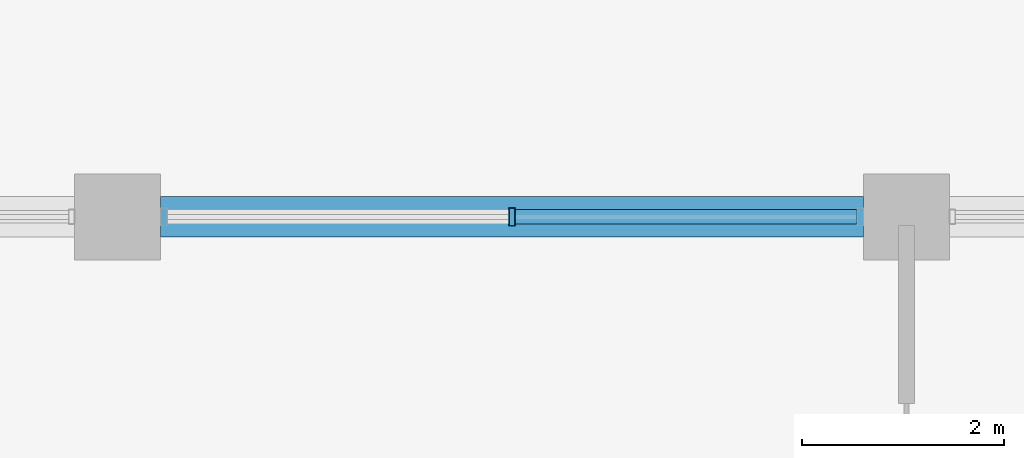
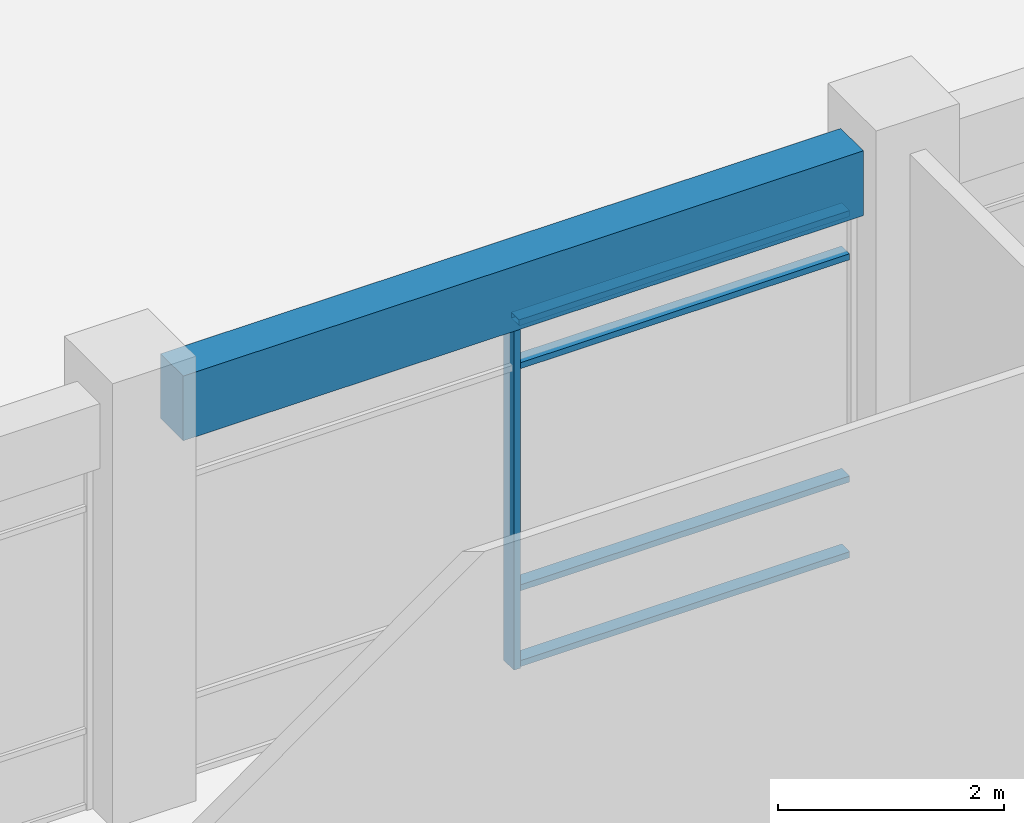
# One storey, part 16 of 74: 5 members, 1 beam, 1 element without a shape of its own.
"""IFC4 building model written with IfcOpenShell, lengths in metres."""

from ifc_helpers import new_model, si_unit, direction, frame, origin, origin_2d, place, context, subcontext, project, spatial, rectangle, hollow_rectangle, extrude, material, material_profile, profile_set, type_object, element, aggregate, save


model = new_model("IFC4")

# Units and contexts
model_context = context("Model", 3, precision=1e-05, world=origin(), true_north=direction((0.0, 1.0)))
body_context = subcontext(model_context, "Body", "Model", "MODEL_VIEW")
ifc_project = project(units=[si_unit("LENGTHUNIT", "METRE"), si_unit("AREAUNIT", "SQUARE_METRE"), si_unit("VOLUMEUNIT", "CUBIC_METRE"), si_unit("PLANEANGLEUNIT", "RADIAN"), si_unit("MASSUNIT", "GRAM", prefix="KILO"), si_unit("THERMODYNAMICTEMPERATUREUNIT", "KELVIN"), si_unit("POWERUNIT", "WATT")], contexts=[model_context])

# Site, building, storey
site_placement = place(None, origin())
site = spatial("IfcSite", under=ifc_project, at=site_placement, CompositionType="ELEMENT")
building_placement = place(site_placement, origin())
building = spatial("IfcBuilding", under=site, at=building_placement, Name="Srebrne Nadtorze General Hospital", CompositionType="ELEMENT")
storey_placement = place(building_placement, origin())
storey = spatial("IfcBuildingStorey", under=building, at=storey_placement, Name="L00", CompositionType="ELEMENT", Elevation=0.0)

# Curtain wall, members
ifc_material_1 = material(Name="Anodised Aluminium", Category="aluminium")
curtain_wall_type = type_object("IfcCurtainWallType", Name="Unitised curtain wall 6950x3750", PredefinedType="NOTDEFINED", material=ifc_material_1)
curtain_wall_placement = place(storey_placement, origin())
curtain_wall = element("IfcCurtainWall", 1, at=curtain_wall_placement, inside=storey, type_object=curtain_wall_type, Name="Curtain wall CW-009", PredefinedType="NOTDEFINED")
ifc_material_2 = material(Name="Anodised Aluminium", Category="aluminium")
ifc_material_profile_1 = material_profile(ifc_material_2, hollow_rectangle(XDim=0.06494140625, YDim=0.179931640625, WallThickness=0.00390625, at=origin_2d()), Name="AL-MUL-65x180")
ifc_profile_set_1 = profile_set([ifc_material_profile_1], Name="Anodised Aluminium")
member_type_1 = type_object("IfcMemberType", Name="Curtain mullion 65x180", PredefinedType="MULLION", material=ifc_profile_set_1)
member_1_placement = place(storey_placement, frame((89.699951171875, 25.199951171875, 0.0), z_axis=(0.0, 0.0, 1.0), x_axis=(1.0, 0.0, 0.0)))
member_1 = element("IfcMember", 2, at=member_1_placement, type_object=member_type_1, Name="CW-009 mullion 2", PredefinedType="MULLION", context=body_context, shape_type="SweptSolid", body=[
    extrude(hollow_rectangle(XDim=0.06494140625, YDim=0.179931640625, WallThickness=0.00390625, at=origin_2d()), origin(), (0.0, 0.0, 1.0), 3.75),
])
ifc_material_3 = material(Name="Anodised Aluminium", Category="aluminium")
ifc_material_profile_2 = material_profile(ifc_material_3, hollow_rectangle(XDim=0.06494140625, YDim=0.139892578125, WallThickness=0.00390625, at=origin_2d()), Name="AL-TRN-65x140")
ifc_profile_set_2 = profile_set([ifc_material_profile_2], Name="Anodised Aluminium")
member_type_2 = type_object("IfcMemberType", Name="Curtain transom 65x140", PredefinedType="USERDEFINED", material=ifc_profile_set_2)
member_2_placement = place(storey_placement, frame((89.732421875, 25.199951171875, 0.032470703125), z_axis=(1.0, 0.0, 0.0), x_axis=(0.0, 0.0, 1.0)))
member_2 = element("IfcMember", 3, at=member_2_placement, type_object=member_type_2, Name="CW-009 transom 2.1", ObjectType="TRANSOM", PredefinedType="USERDEFINED", context=body_context, shape_type="SweptSolid", body=[
    extrude(hollow_rectangle(XDim=0.06494140625, YDim=0.139892578125, WallThickness=0.00390625, at=origin_2d()), origin(), (0.0, 0.0, 1.0), 3.377685546875),
])
member_3_placement = place(storey_placement, frame((89.732421875, 25.199951171875, 0.85009765625), z_axis=(1.0, 0.0, 0.0), x_axis=(0.0, 0.0, 1.0)))
member_3 = element("IfcMember", 4, at=member_3_placement, type_object=member_type_2, Name="CW-009 transom 2.2", ObjectType="TRANSOM", PredefinedType="USERDEFINED", context=body_context, shape_type="SweptSolid", body=[
    extrude(hollow_rectangle(XDim=0.06494140625, YDim=0.139892578125, WallThickness=0.00390625, at=origin_2d()), origin(), (0.0, 0.0, 1.0), 3.377685546875),
])
member_4_placement = place(storey_placement, frame((89.732421875, 25.199951171875, 3.25), z_axis=(1.0, 0.0, 0.0), x_axis=(0.0, 0.0, 1.0)))
member_4 = element("IfcMember", 5, at=member_4_placement, type_object=member_type_2, Name="CW-009 transom 2.3", ObjectType="TRANSOM", PredefinedType="USERDEFINED", context=body_context, shape_type="SweptSolid", body=[
    extrude(hollow_rectangle(XDim=0.06494140625, YDim=0.139892578125, WallThickness=0.00390625, at=origin_2d()), origin(), (0.0, 0.0, 1.0), 3.377685546875),
])
member_5_placement = place(storey_placement, frame((89.732421875, 25.199951171875, 3.717529296875), z_axis=(1.0, 0.0, 0.0), x_axis=(0.0, 0.0, 1.0)))
member_5 = element("IfcMember", 6, at=member_5_placement, type_object=member_type_2, Name="CW-009 transom 2.4", ObjectType="TRANSOM", PredefinedType="USERDEFINED", context=body_context, shape_type="SweptSolid", body=[
    extrude(hollow_rectangle(XDim=0.06494140625, YDim=0.139892578125, WallThickness=0.00390625, at=origin_2d()), origin(), (0.0, 0.0, 1.0), 3.377685546875),
])
aggregate(curtain_wall, [member_1, member_2, member_3, member_4, member_5])

# Beam
ifc_material_4 = material(Name="Concrete C40/50", Category="concrete")
ifc_material_profile_3 = material_profile(ifc_material_4, rectangle(XDim=0.39990234375, YDim=0.699951171875, at=origin_2d()), Name="RC-BM-400x700")
ifc_profile_set_3 = profile_set([ifc_material_profile_3], Name="Concrete C40/50")
beam_type = type_object("IfcBeamType", Name="Edge beam RC 400x700", PredefinedType="BEAM", material=ifc_profile_set_3)
beam_placement = place(storey_placement, frame((86.22509765625, 25.199951171875, 4.10009765625), z_axis=(1.0, 0.0, 0.0), x_axis=(0.0, 1.0, 0.0)))
element("IfcBeam", 7, at=beam_placement, inside=storey, type_object=beam_type, Name="Beam BM-L00-X-0207", PredefinedType="BEAM", context=body_context, shape_type="SweptSolid", body=[
    extrude(rectangle(XDim=0.39990234375, YDim=0.699951171875, at=origin_2d()), origin(), (0.0, 0.0, 1.0), 6.949951171875),
])

save(model, "model.ifc")
